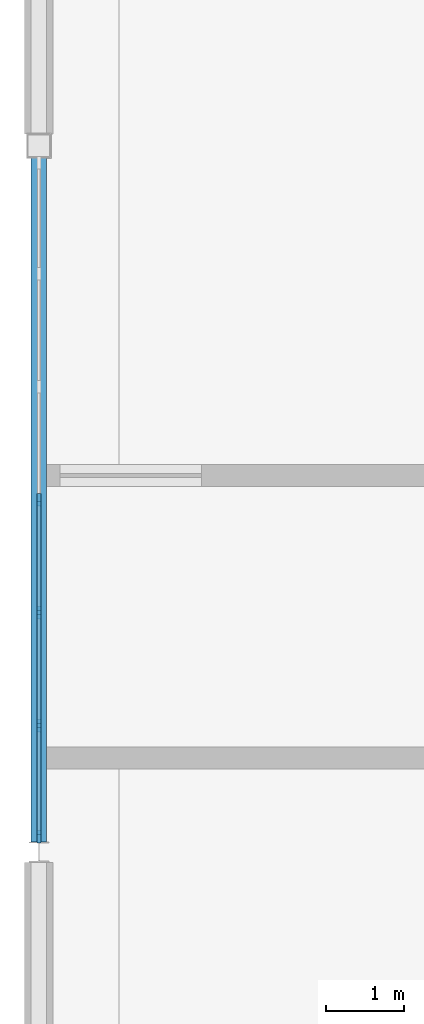
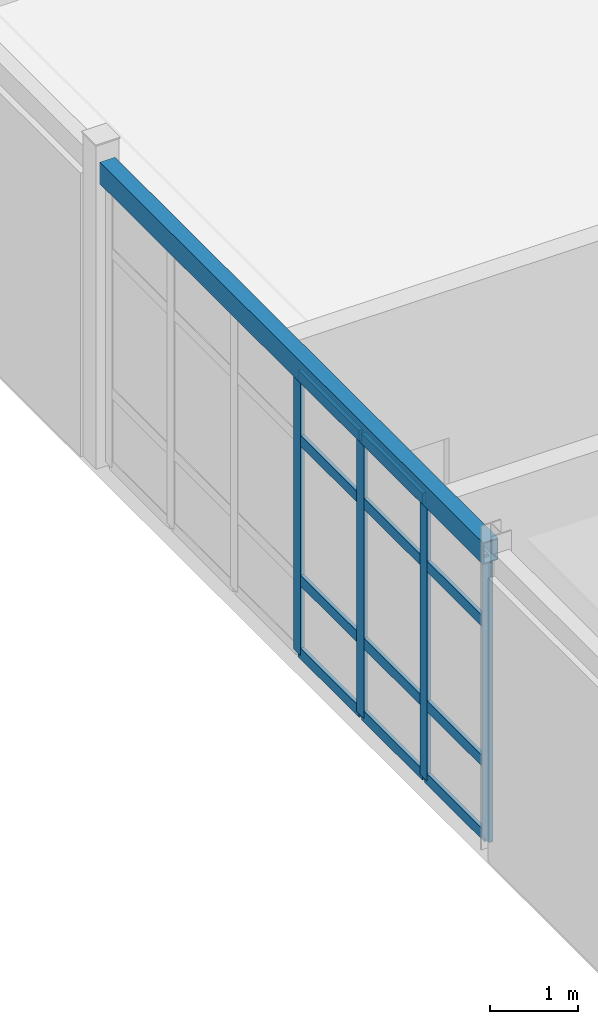
# One storey, part 29 of 81: 16 members, 1 beam, 1 element without a shape of its own.
"""IFC4 building model written with IfcOpenShell, lengths in metres."""

from ifc_helpers import new_model, si_unit, direction, frame, origin, origin_2d, place, context, subcontext, project, spatial, rectangle, hollow_rectangle, extrude, material, material_profile, profile_set, type_object, element, aggregate, save


model = new_model("IFC4")

# Units and contexts
model_context = context("Model", 3, precision=1e-05, world=origin(), true_north=direction((0.0, 1.0)))
body_context = subcontext(model_context, "Body", "Model", "MODEL_VIEW")
ifc_project = project(units=[si_unit("LENGTHUNIT", "METRE"), si_unit("AREAUNIT", "SQUARE_METRE"), si_unit("VOLUMEUNIT", "CUBIC_METRE"), si_unit("PLANEANGLEUNIT", "RADIAN"), si_unit("MASSUNIT", "GRAM", prefix="KILO")], contexts=[model_context])

# Site, building, storey
site_placement = place(None, origin())
site = spatial("IfcSite", under=ifc_project, at=site_placement, CompositionType="ELEMENT")
building_placement = place(site_placement, origin())
building = spatial("IfcBuilding", under=site, at=building_placement, Name="Glasvene Arena", CompositionType="ELEMENT")
storey_placement = place(building_placement, frame((0.0, 0.0, 15.0)))
storey = spatial("IfcBuildingStorey", under=building, at=storey_placement, Name="L03", CompositionType="ELEMENT", Elevation=15.0)

# Beam
ifc_material_1 = material(Name="Steel S355J2", Category="steel")
ifc_material_profile_1 = material_profile(ifc_material_1, hollow_rectangle(XDim=0.199951171875, YDim=0.300048828125, WallThickness=0.012451171875, at=origin_2d()), Name="RHS 300x200x12.5")
ifc_profile_set_1 = profile_set([ifc_material_profile_1], Name="Steel S355J2")
beam_type = type_object("IfcBeamType", Name="BM-SPAND-300", PredefinedType="SPANDREL", material=ifc_profile_set_1)
beam_placement = place(storey_placement, frame((0.0, 91.125244140625, 4.10009765625), z_axis=(0.0, 1.0, 0.0), x_axis=(-1.0, 0.0, 0.0)))
element("IfcBeam", 1, at=beam_placement, inside=storey, type_object=beam_type, Name="Primary Y girder L03-0966", PredefinedType="SPANDREL", context=body_context, shape_type="SweptSolid", body=[
    extrude(hollow_rectangle(XDim=0.199951171875, YDim=0.300048828125, WallThickness=0.012451171875, at=origin_2d()), origin(), (0.0, 0.0, 1.0), 8.729736328125),
])

# Curtain wall, members
ifc_material_2 = material(Name="Low-emissivity laminated double glazing", Category="glass")
curtain_wall_type = type_object("IfcCurtainWallType", Name="CW-FAC-L03-864x388", PredefinedType="USERDEFINED", material=ifc_material_2)
curtain_wall_placement = place(storey_placement, frame((0.0, 91.172119140625, 0.0)))
curtain_wall = element("IfcCurtainWall", 2, at=curtain_wall_placement, inside=storey, type_object=curtain_wall_type, Name="Unitised curtain wall CW-F-L03-150-0-955-7", ObjectType="CURTAIN WALL", PredefinedType="USERDEFINED")
ifc_material_3 = material(Name="Anodised architectural aluminium", Category="aluminium")
ifc_material_profile_2 = material_profile(ifc_material_3, rectangle(XDim=0.050048828125, YDim=0.159912109375, at=origin_2d()), Name="ALU MULLION 50x160")
ifc_profile_set_2 = profile_set([ifc_material_profile_2], Name="Anodised architectural aluminium")
member_type_1 = type_object("IfcMemberType", Name="CW-MUL-150", PredefinedType="MULLION", material=ifc_profile_set_2)
member_1_placement = place(storey_placement, frame((0.0, 91.197021484375, 0.06005859375), z_axis=(0.0, 0.0, 1.0), x_axis=(-1.0, 0.0, 0.0)))
member_1 = element("IfcMember", 3, at=member_1_placement, type_object=member_type_1, Name="CW-033 mullion 1", PredefinedType="MULLION", context=body_context, shape_type="SweptSolid", body=[
    extrude(rectangle(XDim=0.050048828125, YDim=0.159912109375, at=origin_2d()), origin(), (0.0, 0.0, 1.0), 3.885009765625),
])
member_2_placement = place(storey_placement, frame((0.0, 92.611328125, 0.06005859375), z_axis=(0.0, 0.0, 1.0), x_axis=(-1.0, 0.0, 0.0)))
member_2 = element("IfcMember", 4, at=member_2_placement, type_object=member_type_1, Name="CW-033 mullion 2", PredefinedType="MULLION", context=body_context, shape_type="SweptSolid", body=[
    extrude(rectangle(XDim=0.050048828125, YDim=0.159912109375, at=origin_2d()), origin(), (0.0, 0.0, 1.0), 3.885009765625),
])
member_3_placement = place(storey_placement, frame((0.0, 94.05078125, 0.06005859375), z_axis=(0.0, 0.0, 1.0), x_axis=(-1.0, 0.0, 0.0)))
member_3 = element("IfcMember", 5, at=member_3_placement, type_object=member_type_1, Name="CW-033 mullion 3", PredefinedType="MULLION", context=body_context, shape_type="SweptSolid", body=[
    extrude(rectangle(XDim=0.050048828125, YDim=0.159912109375, at=origin_2d()), origin(), (0.0, 0.0, 1.0), 3.885009765625),
])
member_4_placement = place(storey_placement, frame((0.0, 95.489990234375, 0.06005859375), z_axis=(0.0, 0.0, 1.0), x_axis=(-1.0, 0.0, 0.0)))
member_4 = element("IfcMember", 6, at=member_4_placement, type_object=member_type_1, Name="CW-033 mullion 4", PredefinedType="MULLION", context=body_context, shape_type="SweptSolid", body=[
    extrude(rectangle(XDim=0.050048828125, YDim=0.159912109375, at=origin_2d()), origin(), (0.0, 0.0, 1.0), 3.885009765625),
])
ifc_material_profile_3 = material_profile(ifc_material_3, rectangle(XDim=0.050048828125, YDim=0.14990234375, at=origin_2d()), Name="ALU TRANSOM 50x150")
ifc_profile_set_3 = profile_set([ifc_material_profile_3], Name="Anodised architectural aluminium")
member_type_2 = type_object("IfcMemberType", Name="CW-TRN-150", PredefinedType="USERDEFINED", material=ifc_profile_set_3)
member_5_placement = place(storey_placement, frame((0.0, 91.22216796875, 0.0849609375), z_axis=(0.0, 1.0, 0.0), x_axis=(-1.0, 0.0, 0.0)))
member_5 = element("IfcMember", 7, at=member_5_placement, type_object=member_type_2, Name="CW-033 transom 1.1", ObjectType="TRANSOM", PredefinedType="USERDEFINED", context=body_context, shape_type="SweptSolid", body=[
    extrude(rectangle(XDim=0.050048828125, YDim=0.14990234375, at=origin_2d()), origin(), (0.0, 0.0, 1.0), 1.3642578125),
])
member_6_placement = place(storey_placement, frame((0.0, 91.22216796875, 1.10009765625), z_axis=(0.0, 1.0, 0.0), x_axis=(-1.0, 0.0, 0.0)))
member_6 = element("IfcMember", 8, at=member_6_placement, type_object=member_type_2, Name="CW-033 transom 1.2", ObjectType="TRANSOM", PredefinedType="USERDEFINED", context=body_context, shape_type="SweptSolid", body=[
    extrude(rectangle(XDim=0.050048828125, YDim=0.14990234375, at=origin_2d()), origin(), (0.0, 0.0, 1.0), 1.3642578125),
])
member_7_placement = place(storey_placement, frame((0.0, 91.22216796875, 3.044921875), z_axis=(0.0, 1.0, 0.0), x_axis=(-1.0, 0.0, 0.0)))
member_7 = element("IfcMember", 9, at=member_7_placement, type_object=member_type_2, Name="CW-033 transom 1.3", ObjectType="TRANSOM", PredefinedType="USERDEFINED", context=body_context, shape_type="SweptSolid", body=[
    extrude(rectangle(XDim=0.050048828125, YDim=0.14990234375, at=origin_2d()), origin(), (0.0, 0.0, 1.0), 1.3642578125),
])
member_8_placement = place(storey_placement, frame((0.0, 91.22216796875, 3.919921875), z_axis=(0.0, 1.0, 0.0), x_axis=(-1.0, 0.0, 0.0)))
member_8 = element("IfcMember", 10, at=member_8_placement, type_object=member_type_2, Name="CW-033 transom 1.4", ObjectType="TRANSOM", PredefinedType="USERDEFINED", context=body_context, shape_type="SweptSolid", body=[
    extrude(rectangle(XDim=0.050048828125, YDim=0.14990234375, at=origin_2d()), origin(), (0.0, 0.0, 1.0), 1.3642578125),
])
member_9_placement = place(storey_placement, frame((0.0, 92.636474609375, 0.0849609375), z_axis=(0.0, 1.0, 0.0), x_axis=(-1.0, 0.0, 0.0)))
member_9 = element("IfcMember", 11, at=member_9_placement, type_object=member_type_2, Name="CW-033 transom 2.1", ObjectType="TRANSOM", PredefinedType="USERDEFINED", context=body_context, shape_type="SweptSolid", body=[
    extrude(rectangle(XDim=0.050048828125, YDim=0.14990234375, at=origin_2d()), origin(), (0.0, 0.0, 1.0), 1.38916015625),
])
member_10_placement = place(storey_placement, frame((0.0, 92.636474609375, 1.10009765625), z_axis=(0.0, 1.0, 0.0), x_axis=(-1.0, 0.0, 0.0)))
member_10 = element("IfcMember", 12, at=member_10_placement, type_object=member_type_2, Name="CW-033 transom 2.2", ObjectType="TRANSOM", PredefinedType="USERDEFINED", context=body_context, shape_type="SweptSolid", body=[
    extrude(rectangle(XDim=0.050048828125, YDim=0.14990234375, at=origin_2d()), origin(), (0.0, 0.0, 1.0), 1.38916015625),
])
member_11_placement = place(storey_placement, frame((0.0, 92.636474609375, 3.044921875), z_axis=(0.0, 1.0, 0.0), x_axis=(-1.0, 0.0, 0.0)))
member_11 = element("IfcMember", 13, at=member_11_placement, type_object=member_type_2, Name="CW-033 transom 2.3", ObjectType="TRANSOM", PredefinedType="USERDEFINED", context=body_context, shape_type="SweptSolid", body=[
    extrude(rectangle(XDim=0.050048828125, YDim=0.14990234375, at=origin_2d()), origin(), (0.0, 0.0, 1.0), 1.38916015625),
])
member_12_placement = place(storey_placement, frame((0.0, 92.636474609375, 3.919921875), z_axis=(0.0, 1.0, 0.0), x_axis=(-1.0, 0.0, 0.0)))
member_12 = element("IfcMember", 14, at=member_12_placement, type_object=member_type_2, Name="CW-033 transom 2.4", ObjectType="TRANSOM", PredefinedType="USERDEFINED", context=body_context, shape_type="SweptSolid", body=[
    extrude(rectangle(XDim=0.050048828125, YDim=0.14990234375, at=origin_2d()), origin(), (0.0, 0.0, 1.0), 1.38916015625),
])
member_13_placement = place(storey_placement, frame((0.0, 94.07568359375, 0.0849609375), z_axis=(0.0, 1.0, 0.0), x_axis=(-1.0, 0.0, 0.0)))
member_13 = element("IfcMember", 15, at=member_13_placement, type_object=member_type_2, Name="CW-033 transom 3.1", ObjectType="TRANSOM", PredefinedType="USERDEFINED", context=body_context, shape_type="SweptSolid", body=[
    extrude(rectangle(XDim=0.050048828125, YDim=0.14990234375, at=origin_2d()), origin(), (0.0, 0.0, 1.0), 1.389404296875),
])
member_14_placement = place(storey_placement, frame((0.0, 94.07568359375, 1.10009765625), z_axis=(0.0, 1.0, 0.0), x_axis=(-1.0, 0.0, 0.0)))
member_14 = element("IfcMember", 16, at=member_14_placement, type_object=member_type_2, Name="CW-033 transom 3.2", ObjectType="TRANSOM", PredefinedType="USERDEFINED", context=body_context, shape_type="SweptSolid", body=[
    extrude(rectangle(XDim=0.050048828125, YDim=0.14990234375, at=origin_2d()), origin(), (0.0, 0.0, 1.0), 1.389404296875),
])
member_15_placement = place(storey_placement, frame((0.0, 94.07568359375, 3.044921875), z_axis=(0.0, 1.0, 0.0), x_axis=(-1.0, 0.0, 0.0)))
member_15 = element("IfcMember", 17, at=member_15_placement, type_object=member_type_2, Name="CW-033 transom 3.3", ObjectType="TRANSOM", PredefinedType="USERDEFINED", context=body_context, shape_type="SweptSolid", body=[
    extrude(rectangle(XDim=0.050048828125, YDim=0.14990234375, at=origin_2d()), origin(), (0.0, 0.0, 1.0), 1.389404296875),
])
member_16_placement = place(storey_placement, frame((0.0, 94.07568359375, 3.919921875), z_axis=(0.0, 1.0, 0.0), x_axis=(-1.0, 0.0, 0.0)))
member_16 = element("IfcMember", 18, at=member_16_placement, type_object=member_type_2, Name="CW-033 transom 3.4", ObjectType="TRANSOM", PredefinedType="USERDEFINED", context=body_context, shape_type="SweptSolid", body=[
    extrude(rectangle(XDim=0.050048828125, YDim=0.14990234375, at=origin_2d()), origin(), (0.0, 0.0, 1.0), 1.389404296875),
])
aggregate(curtain_wall, [member_1, member_2, member_3, member_4, member_5, member_6, member_7, member_8, member_9, member_10, member_11, member_12, member_13, member_14, member_15, member_16])

save(model, "model.ifc")
